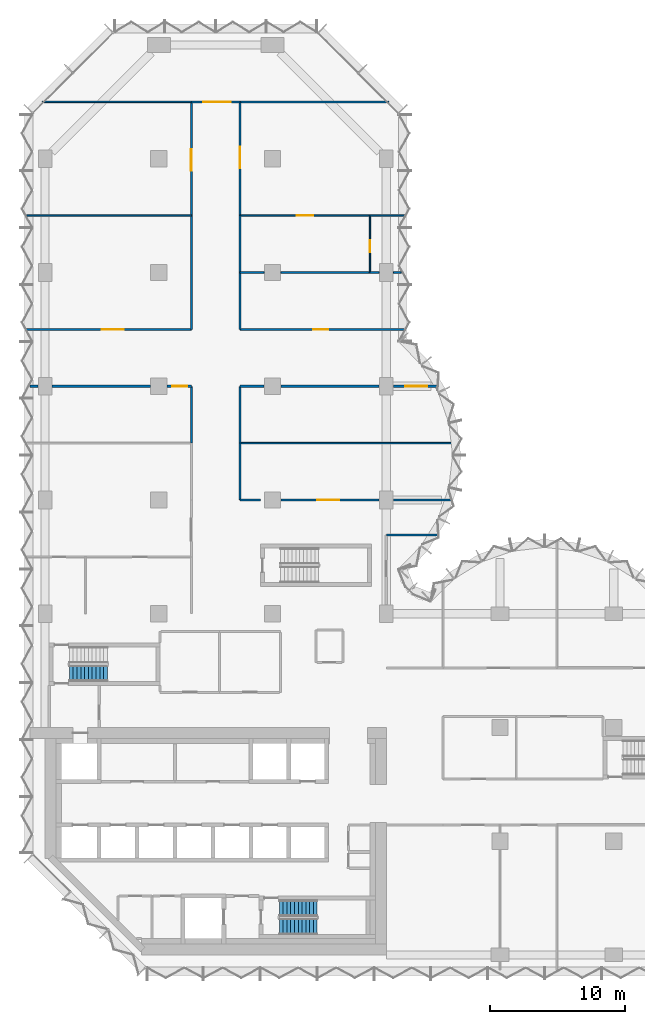
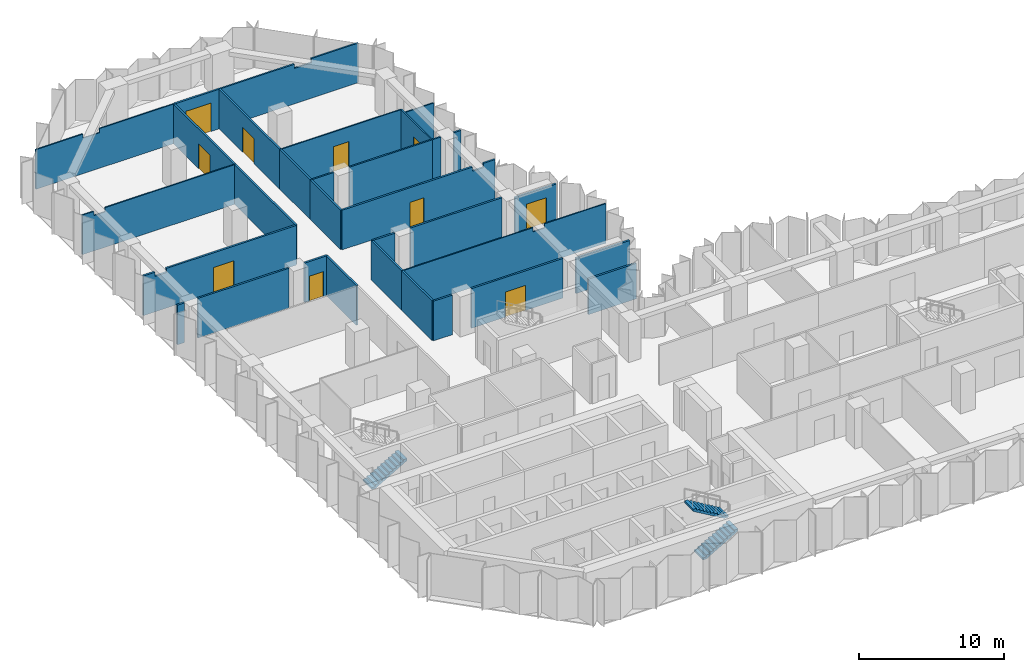
# One storey, part 10 of 13: 32 walls, 10 doors, 3 stair flights, 10 openings, 2 elements without a shape of their own.
"""IFC4 building model written with IfcOpenShell, lengths in metres."""

from ifc_helpers import new_model, si_unit, direction, frame, frame_2d, origin, place, context, subcontext, project, spatial, polyline, rectangle, outline, extrude, material, layer, layer_set, type_object, element, fill, aggregate, save


model = new_model("IFC4")

# Units and contexts
model_context = context("Model", 3, precision=1e-05, world=origin(), true_north=direction((0.0, 1.0)))
body_context = subcontext(model_context, "Body", "Model", "MODEL_VIEW")
ifc_project = project(units=[si_unit("LENGTHUNIT", "METRE"), si_unit("AREAUNIT", "SQUARE_METRE"), si_unit("VOLUMEUNIT", "CUBIC_METRE"), si_unit("PLANEANGLEUNIT", "RADIAN"), si_unit("MASSUNIT", "GRAM", prefix="KILO")], contexts=[model_context])

# Site, building, storey
site_placement = place(None, origin())
site = spatial("IfcSite", under=ifc_project, at=site_placement, CompositionType="ELEMENT")
building_placement = place(site_placement, origin())
building = spatial("IfcBuilding", under=site, at=building_placement, Name="Brevane Broadcast Tower", CompositionType="ELEMENT")
storey_placement = place(building_placement, frame((0.0, 0.0, 91.699951171875)))
storey = spatial("IfcBuildingStorey", under=building, at=storey_placement, Name="L21", CompositionType="ELEMENT", Elevation=91.699951171875)

# Walls
ifc_material_1 = material(Name="Gypsum board partition")
ifc_layer_1 = layer(ifc_material_1, 0.10009765625)
ifc_layer_set_1 = layer_set([ifc_layer_1], Name="PARTITION 100 STUD")
wall_type_1 = type_object("IfcWallType", Name="PARTITION 100 STUD", PredefinedType="PARTITIONING", material=ifc_layer_set_1)
wall_1_placement = place(storey_placement, frame((10.800048828125, 63.0, 0.0), z_axis=(0.0, 0.0, 1.0), x_axis=(-1.0, 0.0, 0.0)))
element("IfcWall", 1, at=wall_1_placement, inside=storey, type_object=wall_type_1, Name="Partition G06-046", PredefinedType="PARTITIONING", context=body_context, shape_type="SweptSolid", body=[
    extrude(outline(polyline([(0.0, 0.0), (11.0, 0.0), (11.0, 3.330078125), (7.265625, 3.330078125), (7.263671875, 2.97998046875), (5.936279296875, 2.97998046875), (5.934326171875, 3.330078125), (0.0, 3.330078125), (0.0, 0.0)])), frame((0.0, 0.050048828125, 0.0), z_axis=(0.0, -1.0, 0.0), x_axis=(1.0, 0.0, 0.0)), (0.0, 0.0, 1.0), 0.10009765625),
])
wall_2_placement = place(storey_placement, frame((-1.364990234375, 54.60009765625, 0.0), z_axis=(0.0, 0.0, 1.0), x_axis=(1.0, 0.0, 0.0)))
element("IfcWall", 2, at=wall_2_placement, inside=storey, type_object=wall_type_1, Name="Partition G06-056", PredefinedType="PARTITIONING", context=body_context, shape_type="SweptSolid", body=[
    extrude(outline(polyline([(0.0, 0.0), (12.1650390625, 0.0), (12.1650390625, 3.330078125), (1.81494140625, 3.330078125), (1.81298828125, 2.97998046875), (0.9169921875, 2.97998046875), (0.9150390625, 3.330078125), (0.264892578125, 3.330078125), (0.0, 3.330078125), (0.0, 0.0)])), frame((0.0, 0.050048828125, 0.0), z_axis=(0.0, -1.0, 0.0), x_axis=(1.0, 0.0, 0.0)), (0.0, 0.0, 1.0), 0.10009765625),
])
wall_3_placement = place(storey_placement, frame((14.39990234375, 37.800048828125, 0.0), z_axis=(0.0, 0.0, 1.0), x_axis=(1.0, 0.0, 0.0)))
element("IfcWall", 3, at=wall_3_placement, inside=storey, type_object=wall_type_1, Name="Partition G06-061", PredefinedType="PARTITIONING", context=body_context, shape_type="SweptSolid", body=[
    extrude(outline(polyline([(0.0, 0.0), (16.1259765625, 0.0), (16.1259765625, 3.330078125), (15.8427734375, 3.330078125), (11.25, 3.330078125), (11.248046875, 2.97998046875), (10.35205078125, 2.97998046875), (10.35009765625, 3.330078125), (0.0, 3.330078125), (0.0, 0.0)])), frame((0.0, 0.050048828125, 0.0), z_axis=(0.0, -1.0, 0.0), x_axis=(1.0, 0.0, 0.0)), (0.0, 0.0, 1.0), 0.10009765625),
])

# Wall, opening, door
wall_4_placement = place(storey_placement, frame((24.0, 54.60009765625, 0.0), z_axis=(0.0, 0.0, 1.0), x_axis=(-1.0, 0.0, 0.0)))
wall_4 = element("IfcWall", 4, at=wall_4_placement, inside=storey, type_object=wall_type_1, Name="Partition G06-066", PredefinedType="PARTITIONING", context=body_context, shape_type="SweptSolid", body=[
    extrude(rectangle(XDim=9.60009765625, YDim=0.10009765625, at=frame_2d((4.800048828125, 0.0))), origin(), (0.0, 0.0, 1.0), 3.330078125),
])
opening_1_placement = place(wall_4_placement, frame((4.199951171875, 0.0, 0.0)))
opening_1 = element("IfcOpeningElement", 5, at=opening_1_placement, cuts=wall_4, Name="Opening D13-022", PredefinedType="OPENING", context=body_context, shape_type="SweptSolid", body=[
    extrude(rectangle(XDim=1.199951171875, YDim=2.10009765625, at=frame_2d((0.60009765625, 1.050048828125))), frame((0.0, 0.06005859375, 0.0), z_axis=(0.0, -1.0, 0.0), x_axis=(1.0, 0.0, 0.0)), (0.0, 0.0, 1.0), 0.1201171875),
])
ifc_material_2 = material(Name="Timber door leaf", Category="wood")
door_type_1 = type_object("IfcDoorType", Name="DOOR SINGLE 1200 INTERNAL", OperationType="SINGLE_SWING_LEFT", PredefinedType="DOOR", material=ifc_material_2)
door_1_placement = place(opening_1_placement, origin())
door_1 = element("IfcDoor", 6, at=door_1_placement, inside=storey, type_object=door_type_1, Name="Door D13-022", OperationType="SINGLE_SWING_LEFT", OverallHeight=2.10009765625, OverallWidth=1.199951171875, PredefinedType="DOOR", context=body_context, shape_type="SweptSolid", body=[
    extrude(rectangle(XDim=1.199951171875, YDim=2.10009765625, at=frame_2d((0.60009765625, 1.050048828125))), frame((0.0, 0.02490234375, 0.0), z_axis=(0.0, -1.0, 0.0), x_axis=(1.0, 0.0, 0.0)), (0.0, 0.0, 1.0), 0.050048828125),
])
fill(opening_1, door_1)

# Wall
wall_5_placement = place(storey_placement, frame((26.56494140625, 54.60009765625, 0.0), z_axis=(0.0, 0.0, 1.0), x_axis=(-1.0, 0.0, 0.0)))
element("IfcWall", 7, at=wall_5_placement, inside=storey, type_object=wall_type_1, Name="Partition G06-067", PredefinedType="PARTITIONING", context=body_context, shape_type="SweptSolid", body=[
    extrude(rectangle(XDim=2.56494140625, YDim=0.10009765625, at=frame_2d((1.282470703125, 0.0))), origin(), (0.0, 0.0, 1.0), 2.97998046875),
])

# Wall, opening, door
wall_6_placement = place(storey_placement, frame((24.0, 54.60009765625, 0.0), z_axis=(0.0, 0.0, 1.0), x_axis=(0.0, -1.0, 0.0)))
wall_6 = element("IfcWall", 8, at=wall_6_placement, inside=storey, type_object=wall_type_1, Name="Partition G06-068", PredefinedType="PARTITIONING", context=body_context, shape_type="SweptSolid", body=[
    extrude(rectangle(XDim=4.2001953125, YDim=0.10009765625, at=frame_2d((2.10009765625, 0.0))), origin(), (0.0, 0.0, 1.0), 3.330078125),
])
opening_2_placement = place(wall_6_placement, frame((1.800048828125, 0.0, 0.0)))
opening_2 = element("IfcOpeningElement", 9, at=opening_2_placement, cuts=wall_6, Name="Opening D13-023", PredefinedType="OPENING", context=body_context, shape_type="SweptSolid", body=[
    extrude(rectangle(XDim=0.89990234375, YDim=2.10009765625, at=frame_2d((0.449951171875, 1.050048828125))), frame((0.0, 0.06005859375, 0.0), z_axis=(0.0, -1.0, 0.0), x_axis=(1.0, 0.0, 0.0)), (0.0, 0.0, 1.0), 0.1201171875),
])
door_type_2 = type_object("IfcDoorType", Name="DOOR SINGLE 900 INTERNAL", OperationType="SINGLE_SWING_LEFT", PredefinedType="DOOR", material=ifc_material_2)
door_2_placement = place(opening_2_placement, origin())
door_2 = element("IfcDoor", 10, at=door_2_placement, inside=storey, type_object=door_type_2, Name="Door D13-023", OperationType="SINGLE_SWING_LEFT", OverallHeight=2.10009765625, OverallWidth=0.89990234375, PredefinedType="DOOR", context=body_context, shape_type="SweptSolid", body=[
    extrude(rectangle(XDim=0.89990234375, YDim=2.10009765625, at=frame_2d((0.449951171875, 1.050048828125))), frame((0.0, 0.02490234375, 0.0), z_axis=(0.0, -1.0, 0.0), x_axis=(1.0, 0.0, 0.0)), (0.0, 0.0, 1.0), 0.050048828125),
])
fill(opening_2, door_2)

# Walls
ifc_layer_2 = layer(ifc_material_1, 0.125)
ifc_layer_set_2 = layer_set([ifc_layer_2], Name="PARTITION 125 ACOUSTIC")
wall_type_2 = type_object("IfcWallType", Name="PARTITION 125 ACOUSTIC", PredefinedType="PARTITIONING", material=ifc_layer_set_2)
wall_7_placement = place(storey_placement, frame((25.39990234375, 63.0, 0.0), z_axis=(0.0, 0.0, 1.0), x_axis=(-1.0, 0.0, 0.0)))
element("IfcWall", 11, at=wall_7_placement, inside=storey, type_object=wall_type_2, Name="Partition G06-047", PredefinedType="PARTITIONING", context=body_context, shape_type="SweptSolid", body=[
    extrude(outline(polyline([(0.0, 0.0), (11.0, 0.0), (11.0, 3.330078125), (5.078125, 3.330078125), (5.076171875, 2.97998046875), (3.723876953125, 2.97998046875), (3.721923828125, 3.330078125), (0.0, 3.330078125), (0.0, 0.0)])), frame((0.0, 0.0625, 0.0), z_axis=(0.0, -1.0, 0.0), x_axis=(1.0, 0.0, 0.0)), (0.0, 0.0, 1.0), 0.125),
])
wall_8_placement = place(storey_placement, frame((14.39990234375, 50.39990234375, 0.0), z_axis=(0.0, 0.0, 1.0), x_axis=(1.0, 0.0, 0.0)))
element("IfcWall", 12, at=wall_8_placement, inside=storey, type_object=wall_type_2, Name="Partition G06-062", PredefinedType="PARTITIONING", context=body_context, shape_type="SweptSolid", body=[
    extrude(rectangle(XDim=1.780029296875, YDim=0.125, at=frame_2d((0.89013671875, 0.0))), origin(), (0.0, 0.0, 1.0), 3.330078125),
])
wall_9_placement = place(storey_placement, frame((17.419921875, 50.39990234375, 0.0), z_axis=(0.0, 0.0, 1.0), x_axis=(1.0, 0.0, 0.0)))
element("IfcWall", 13, at=wall_9_placement, inside=storey, type_object=wall_type_2, Name="Partition G06-063", PredefinedType="PARTITIONING", context=body_context, shape_type="SweptSolid", body=[
    extrude(rectangle(XDim=6.580078125, YDim=0.125, at=frame_2d((3.2900390625, 0.0))), origin(), (0.0, 0.0, 1.0), 3.330078125),
])
wall_10_placement = place(storey_placement, frame((24.0, 50.39990234375, 0.0), z_axis=(0.0, 0.0, 1.0), x_axis=(1.0, 0.0, 0.0)))
element("IfcWall", 14, at=wall_10_placement, inside=storey, type_object=wall_type_2, Name="Partition G06-064", PredefinedType="PARTITIONING", context=body_context, shape_type="SweptSolid", body=[
    extrude(rectangle(XDim=0.679931640625, YDim=0.125, at=frame_2d((0.33984375, 0.0))), origin(), (0.0, 0.0, 1.0), 3.330078125),
])
wall_11_placement = place(storey_placement, frame((25.719970703125, 50.39990234375, 0.0), z_axis=(0.0, 0.0, 1.0), x_axis=(1.0, 0.0, 0.0)))
element("IfcWall", 15, at=wall_11_placement, inside=storey, type_object=wall_type_2, Name="Partition G06-065", PredefinedType="PARTITIONING", context=body_context, shape_type="SweptSolid", body=[
    extrude(rectangle(XDim=0.580078125, YDim=0.125, at=frame_2d((0.2900390625, 0.0))), origin(), (0.0, 0.0, 1.0), 3.330078125),
])
ifc_layer_3 = layer(ifc_material_1, 0.14990234375)
ifc_layer_set_3 = layer_set([ifc_layer_3], Name="PARTITION 150 EI 60")
wall_type_3 = type_object("IfcWallType", Name="PARTITION 150 EI 60", PredefinedType="PARTITIONING", material=ifc_layer_set_3)
wall_12_placement = place(storey_placement, frame((25.199951171875, 31.0, 0.0), z_axis=(0.0, 0.0, 1.0), x_axis=(1.0, 0.0, 0.0)))
element("IfcWall", 16, at=wall_12_placement, inside=storey, type_object=wall_type_3, Name="Partition G06-006", PredefinedType="PARTITIONING", context=body_context, shape_type="SweptSolid", body=[
    extrude(rectangle(XDim=3.80615234375, YDim=0.14990234375, at=frame_2d((1.903076171875, 0.0))), origin(), (0.0, 0.0, 1.0), 2.97998046875),
])
wall_13_placement = place(storey_placement, frame((14.39990234375, 33.60009765625, 0.0), z_axis=(0.0, 0.0, 1.0), x_axis=(1.0, 0.0, 0.0)))
element("IfcWall", 17, at=wall_13_placement, inside=storey, type_object=wall_type_3, Name="Partition G06-033", PredefinedType="PARTITIONING", context=body_context, shape_type="SweptSolid", body=[
    extrude(rectangle(XDim=1.5, YDim=0.14990234375, at=frame_2d((0.75, 0.0))), origin(), (0.0, 0.0, 1.0), 3.330078125),
])

# Wall, opening, door
wall_14_placement = place(storey_placement, frame((17.419921875, 33.60009765625, 0.0), z_axis=(0.0, 0.0, 1.0), x_axis=(1.0, 0.0, 0.0)))
wall_14 = element("IfcWall", 18, at=wall_14_placement, inside=storey, type_object=wall_type_3, Name="Partition G06-034", PredefinedType="PARTITIONING", context=body_context, shape_type="SweptSolid", body=[
    extrude(rectangle(XDim=7.260009765625, YDim=0.14990234375, at=frame_2d((3.6298828125, 0.0))), origin(), (0.0, 0.0, 1.0), 3.330078125),
])
opening_3_placement = place(wall_14_placement, frame((2.699951171875, 0.0, 0.0)))
opening_3 = element("IfcOpeningElement", 19, at=opening_3_placement, cuts=wall_14, Name="Opening D13-018", PredefinedType="OPENING", context=body_context, shape_type="SweptSolid", body=[
    extrude(rectangle(XDim=1.60009765625, YDim=2.10009765625, at=frame_2d((0.800048828125, 1.050048828125))), frame((0.0, 0.0849609375, 0.0), z_axis=(0.0, -1.0, 0.0), x_axis=(1.0, 0.0, 0.0)), (0.0, 0.0, 1.0), 0.169921875),
])
ifc_material_3 = material(Name="Fire-rated timber door leaf", Category="wood")
door_type_3 = type_object("IfcDoorType", Name="DOOR DOUBLE 1600 FD30S", OperationType="DOUBLE_DOOR_SINGLE_SWING", PredefinedType="DOOR", material=ifc_material_3)
door_3_placement = place(opening_3_placement, origin())
door_3 = element("IfcDoor", 20, at=door_3_placement, inside=storey, type_object=door_type_3, Name="Door D13-018", OperationType="DOUBLE_DOOR_SINGLE_SWING", OverallHeight=2.10009765625, OverallWidth=1.60009765625, PredefinedType="DOOR", context=body_context, shape_type="SweptSolid", body=[
    extrude(rectangle(XDim=1.60009765625, YDim=2.10009765625, at=frame_2d((0.800048828125, 1.050048828125))), frame((0.0, 0.02490234375, 0.0), z_axis=(0.0, -1.0, 0.0), x_axis=(1.0, 0.0, 0.0)), (0.0, 0.0, 1.0), 0.050048828125),
])
fill(opening_3, door_3)

# Wall
wall_15_placement = place(storey_placement, frame((25.719970703125, 33.60009765625, 0.0), z_axis=(0.0, 0.0, 1.0), x_axis=(1.0, 0.0, 0.0)))
element("IfcWall", 21, at=wall_15_placement, inside=storey, type_object=wall_type_3, Name="Partition G06-035", PredefinedType="PARTITIONING", context=body_context, shape_type="SweptSolid", body=[
    extrude(rectangle(XDim=4.268310546875, YDim=0.14990234375, at=frame_2d((2.13427734375, 0.0))), origin(), (0.0, 0.0, 1.0), 2.97998046875),
])

# Wall, opening, door
wall_16_placement = place(storey_placement, frame((10.800048828125, 63.0, 0.0), z_axis=(0.0, 0.0, 1.0), x_axis=(1.0, 0.0, 0.0)))
wall_16 = element("IfcWall", 22, at=wall_16_placement, inside=storey, type_object=wall_type_3, Name="Partition G06-036", PredefinedType="PARTITIONING", context=body_context, shape_type="SweptSolid", body=[
    extrude(rectangle(XDim=3.599853515625, YDim=0.14990234375, at=frame_2d((1.7998046875, 0.0))), origin(), (0.0, 0.0, 1.0), 3.330078125),
])
opening_4_placement = place(wall_16_placement, frame((0.89990234375, 0.0, 0.0)))
opening_4 = element("IfcOpeningElement", 23, at=opening_4_placement, cuts=wall_16, Name="Opening D13-011", PredefinedType="OPENING", context=body_context, shape_type="SweptSolid", body=[
    extrude(rectangle(XDim=2.0, YDim=2.39990234375, at=frame_2d((1.0, 1.199951171875))), frame((0.0, 0.0849609375, 0.0), z_axis=(0.0, -1.0, 0.0), x_axis=(1.0, 0.0, 0.0)), (0.0, 0.0, 1.0), 0.169921875),
])
door_type_4 = type_object("IfcDoorType", Name="DOOR DOUBLE 2000 FD30S", OperationType="DOUBLE_DOOR_SINGLE_SWING", PredefinedType="DOOR", material=ifc_material_3)
door_4_placement = place(opening_4_placement, origin())
door_4 = element("IfcDoor", 24, at=door_4_placement, inside=storey, type_object=door_type_4, Name="Door D13-011", OperationType="DOUBLE_DOOR_SINGLE_SWING", OverallHeight=2.39990234375, OverallWidth=2.0, PredefinedType="DOOR", context=body_context, shape_type="SweptSolid", body=[
    extrude(rectangle(XDim=2.0, YDim=2.39990234375, at=frame_2d((1.0, 1.199951171875))), frame((0.0, 0.02490234375, 0.0), z_axis=(0.0, -1.0, 0.0), x_axis=(1.0, 0.0, 0.0)), (0.0, 0.0, 1.0), 0.050048828125),
])
fill(opening_4, door_4)

# Walls
wall_17_placement = place(storey_placement, frame((10.800048828125, 37.800048828125, 0.0), z_axis=(0.0, 0.0, 1.0), x_axis=(0.0, 1.0, 0.0)))
element("IfcWall", 25, at=wall_17_placement, inside=storey, type_object=wall_type_3, Name="Partition G06-038", PredefinedType="PARTITIONING", context=body_context, shape_type="SweptSolid", body=[
    extrude(rectangle(XDim=4.199951171875, YDim=0.14990234375, at=frame_2d((2.10009765625, 0.0))), origin(), (0.0, 0.0, 1.0), 3.330078125),
])
wall_18_placement = place(storey_placement, frame((10.800048828125, 46.199951171875, 0.0), z_axis=(0.0, 0.0, 1.0), x_axis=(0.0, 1.0, 0.0)))
element("IfcWall", 26, at=wall_18_placement, inside=storey, type_object=wall_type_3, Name="Partition G06-039", PredefinedType="PARTITIONING", context=body_context, shape_type="SweptSolid", body=[
    extrude(rectangle(XDim=8.400146484375, YDim=0.14990234375, at=frame_2d((4.2001953125, 0.0))), origin(), (0.0, 0.0, 1.0), 3.330078125),
])

# Wall, opening, door
wall_19_placement = place(storey_placement, frame((10.800048828125, 54.60009765625, 0.0), z_axis=(0.0, 0.0, 1.0), x_axis=(0.0, 1.0, 0.0)))
wall_19 = element("IfcWall", 27, at=wall_19_placement, inside=storey, type_object=wall_type_3, Name="Partition G06-040", PredefinedType="PARTITIONING", context=body_context, shape_type="SweptSolid", body=[
    extrude(rectangle(XDim=8.39990234375, YDim=0.14990234375, at=frame_2d((4.199951171875, 0.0))), origin(), (0.0, 0.0, 1.0), 3.330078125),
])
opening_5_placement = place(wall_19_placement, frame((3.300048828125, 0.0, 0.0)))
opening_5 = element("IfcOpeningElement", 28, at=opening_5_placement, cuts=wall_19, Name="Opening D13-017", PredefinedType="OPENING", context=body_context, shape_type="SweptSolid", body=[
    extrude(rectangle(XDim=1.60009765625, YDim=2.10009765625, at=frame_2d((0.800048828125, 1.050048828125))), frame((0.0, 0.0849609375, 0.0), z_axis=(0.0, -1.0, 0.0), x_axis=(1.0, 0.0, 0.0)), (0.0, 0.0, 1.0), 0.169921875),
])
door_5_placement = place(opening_5_placement, origin())
door_5 = element("IfcDoor", 29, at=door_5_placement, inside=storey, type_object=door_type_3, Name="Door D13-017", OperationType="DOUBLE_DOOR_SINGLE_SWING", OverallHeight=2.10009765625, OverallWidth=1.60009765625, PredefinedType="DOOR", context=body_context, shape_type="SweptSolid", body=[
    extrude(rectangle(XDim=1.60009765625, YDim=2.10009765625, at=frame_2d((0.800048828125, 1.050048828125))), frame((0.0, 0.02490234375, 0.0), z_axis=(0.0, -1.0, 0.0), x_axis=(1.0, 0.0, 0.0)), (0.0, 0.0, 1.0), 0.050048828125),
])
fill(opening_5, door_5)

# Walls
for number, where, z_axis, x_axis, name in (
    (30, (14.39990234375, 37.800048828125, 0.0), (0.0, 0.0, 1.0), (0.0, -1.0, 0.0), "Partition G06-041"),
    (31, (14.39990234375, 42.0, 0.0), (0.0, 0.0, 1.0), (0.0, -1.0, 0.0), "Partition G06-042"),
    (32, (14.39990234375, 50.39990234375, 0.0), (0.0, 0.0, 1.0), (0.0, -1.0, 0.0), "Partition G06-043"),
):
    element("IfcWall", number, at=place(storey_placement, frame(where, z_axis=z_axis, x_axis=x_axis)), inside=storey, type_object=wall_type_3, Name=name, PredefinedType="PARTITIONING", context=body_context, shape_type="SweptSolid", body=[
        extrude(rectangle(XDim=4.199951171875, YDim=0.14990234375, at=frame_2d((2.10009765625, 0.0))), origin(), (0.0, 0.0, 1.0), 3.330078125),
    ])

# Wall, opening, door
wall_20_placement = place(storey_placement, frame((14.39990234375, 63.0, 0.0), z_axis=(0.0, 0.0, 1.0), x_axis=(0.0, -1.0, 0.0)))
wall_20 = element("IfcWall", 33, at=wall_20_placement, inside=storey, type_object=wall_type_3, Name="Partition G06-044", PredefinedType="PARTITIONING", context=body_context, shape_type="SweptSolid", body=[
    extrude(rectangle(XDim=8.39990234375, YDim=0.14990234375, at=frame_2d((4.199951171875, 0.0))), origin(), (0.0, 0.0, 1.0), 3.330078125),
])
opening_6_placement = place(wall_20_placement, frame((3.300048828125, 0.0, 0.0)))
opening_6 = element("IfcOpeningElement", 34, at=opening_6_placement, cuts=wall_20, Name="Opening D13-021", PredefinedType="OPENING", context=body_context, shape_type="SweptSolid", body=[
    extrude(rectangle(XDim=1.60009765625, YDim=2.10009765625, at=frame_2d((0.800048828125, 1.050048828125))), frame((0.0, 0.0849609375, 0.0), z_axis=(0.0, -1.0, 0.0), x_axis=(1.0, 0.0, 0.0)), (0.0, 0.0, 1.0), 0.169921875),
])
door_6_placement = place(opening_6_placement, origin())
door_6 = element("IfcDoor", 35, at=door_6_placement, inside=storey, type_object=door_type_3, Name="Door D13-021", OperationType="DOUBLE_DOOR_SINGLE_SWING", OverallHeight=2.10009765625, OverallWidth=1.60009765625, PredefinedType="DOOR", context=body_context, shape_type="SweptSolid", body=[
    extrude(rectangle(XDim=1.60009765625, YDim=2.10009765625, at=frame_2d((0.800048828125, 1.050048828125))), frame((0.0, 0.02490234375, 0.0), z_axis=(0.0, -1.0, 0.0), x_axis=(1.0, 0.0, 0.0)), (0.0, 0.0, 1.0), 0.050048828125),
])
fill(opening_6, door_6)

# Wall
wall_21_placement = place(storey_placement, frame((14.39990234375, 54.60009765625, 0.0), z_axis=(0.0, 0.0, 1.0), x_axis=(0.0, -1.0, 0.0)))
element("IfcWall", 36, at=wall_21_placement, inside=storey, type_object=wall_type_3, Name="Partition G06-045", PredefinedType="PARTITIONING", context=body_context, shape_type="SweptSolid", body=[
    extrude(rectangle(XDim=4.2001953125, YDim=0.14990234375, at=frame_2d((2.10009765625, 0.0))), origin(), (0.0, 0.0, 1.0), 3.330078125),
])

# Wall, opening, door
wall_22_placement = place(storey_placement, frame((10.800048828125, 42.0, 0.0), z_axis=(0.0, 0.0, 1.0), x_axis=(-1.0, 0.0, 0.0)))
wall_22 = element("IfcWall", 37, at=wall_22_placement, inside=storey, type_object=wall_type_3, Name="Partition G06-048", PredefinedType="PARTITIONING", context=body_context, shape_type="SweptSolid", body=[
    extrude(rectangle(XDim=1.780029296875, YDim=0.14990234375, at=frame_2d((0.89013671875, 0.0))), origin(), (0.0, 0.0, 1.0), 3.330078125),
])
opening_7_placement = place(wall_22_placement, frame((0.300048828125, 0.0, 0.0)))
opening_7 = element("IfcOpeningElement", 38, at=opening_7_placement, cuts=wall_22, Name="Opening D13-015", PredefinedType="OPENING", context=body_context, shape_type="SweptSolid", body=[
    extrude(rectangle(XDim=1.10009765625, YDim=2.10009765625, at=frame_2d((0.550048828125, 1.050048828125))), frame((0.0, 0.0849609375, 0.0), z_axis=(0.0, -1.0, 0.0), x_axis=(1.0, 0.0, 0.0)), (0.0, 0.0, 1.0), 0.169921875),
])
door_type_5 = type_object("IfcDoorType", Name="DOOR SINGLE 1100 FD30S", OperationType="SINGLE_SWING_LEFT", PredefinedType="DOOR", material=ifc_material_3)
door_7_placement = place(opening_7_placement, origin())
door_7 = element("IfcDoor", 39, at=door_7_placement, inside=storey, type_object=door_type_5, Name="Door D13-015", OperationType="SINGLE_SWING_LEFT", OverallHeight=2.10009765625, OverallWidth=1.10009765625, PredefinedType="DOOR", context=body_context, shape_type="SweptSolid", body=[
    extrude(rectangle(XDim=1.10009765625, YDim=2.10009765625, at=frame_2d((0.550048828125, 1.050048828125))), frame((0.0, 0.02490234375, 0.0), z_axis=(0.0, -1.0, 0.0), x_axis=(1.0, 0.0, 0.0)), (0.0, 0.0, 1.0), 0.050048828125),
])
fill(opening_7, door_7)

# Walls
wall_23_placement = place(storey_placement, frame((7.780029296875, 42.0, 0.0), z_axis=(0.0, 0.0, 1.0), x_axis=(-1.0, 0.0, 0.0)))
element("IfcWall", 40, at=wall_23_placement, inside=storey, type_object=wall_type_3, Name="Partition G06-049", PredefinedType="PARTITIONING", context=body_context, shape_type="SweptSolid", body=[
    extrude(rectangle(XDim=7.260009765625, YDim=0.14990234375, at=frame_2d((3.6298828125, 0.0))), origin(), (0.0, 0.0, 1.0), 3.330078125),
])
wall_24_placement = place(storey_placement, frame((-0.52001953125, 42.0, 0.0), z_axis=(0.0, 0.0, 1.0), x_axis=(-1.0, 0.0, 0.0)))
element("IfcWall", 41, at=wall_24_placement, inside=storey, type_object=wall_type_3, Name="Partition G06-050", PredefinedType="PARTITIONING", context=body_context, shape_type="SweptSolid", body=[
    extrude(rectangle(XDim=0.580078125, YDim=0.14990234375, at=frame_2d((0.2900390625, 0.0))), origin(), (0.0, 0.0, 1.0), 3.330078125),
])

# Wall, opening, door
wall_25_placement = place(storey_placement, frame((-1.364990234375, 46.199951171875, 0.0), z_axis=(0.0, 0.0, 1.0), x_axis=(1.0, 0.0, 0.0)))
wall_25 = element("IfcWall", 42, at=wall_25_placement, inside=storey, type_object=wall_type_3, Name="Partition G06-051", PredefinedType="PARTITIONING", context=body_context, shape_type="SweptSolid", body=[
    extrude(outline(polyline([(0.0, 0.0), (12.1650390625, 0.0), (12.1650390625, 3.330078125), (1.81494140625, 3.330078125), (1.81298828125, 2.97998046875), (0.9169921875, 2.97998046875), (0.9150390625, 3.330078125), (0.264892578125, 3.330078125), (0.0, 3.330078125), (0.0, 0.0)])), frame((0.0, 0.074951171875, 0.0), z_axis=(0.0, -1.0, 0.0), x_axis=(1.0, 0.0, 0.0)), (0.0, 0.0, 1.0), 0.14990234375),
])
opening_8_placement = place(wall_25_placement, frame((5.56494140625, 0.0, 0.0)))
opening_8 = element("IfcOpeningElement", 43, at=opening_8_placement, cuts=wall_25, Name="Opening D13-016", PredefinedType="OPENING", context=body_context, shape_type="SweptSolid", body=[
    extrude(rectangle(XDim=1.60009765625, YDim=2.10009765625, at=frame_2d((0.800048828125, 1.050048828125))), frame((0.0, 0.0849609375, 0.0), z_axis=(0.0, -1.0, 0.0), x_axis=(1.0, 0.0, 0.0)), (0.0, 0.0, 1.0), 0.169921875),
])
door_8_placement = place(opening_8_placement, origin())
door_8 = element("IfcDoor", 44, at=door_8_placement, inside=storey, type_object=door_type_3, Name="Door D13-016", OperationType="DOUBLE_DOOR_SINGLE_SWING", OverallHeight=2.10009765625, OverallWidth=1.60009765625, PredefinedType="DOOR", context=body_context, shape_type="SweptSolid", body=[
    extrude(rectangle(XDim=1.60009765625, YDim=2.10009765625, at=frame_2d((0.800048828125, 1.050048828125))), frame((0.0, 0.02490234375, 0.0), z_axis=(0.0, -1.0, 0.0), x_axis=(1.0, 0.0, 0.0)), (0.0, 0.0, 1.0), 0.050048828125),
])
fill(opening_8, door_8)

wall_26_placement = place(storey_placement, frame((29.011474609375, 42.0, 0.0), z_axis=(0.0, 0.0, 1.0), x_axis=(-1.0, 0.0, 0.0)))
wall_26 = element("IfcWall", 45, at=wall_26_placement, inside=storey, type_object=wall_type_3, Name="Partition G06-057", PredefinedType="PARTITIONING", context=body_context, shape_type="SweptSolid", body=[
    extrude(rectangle(XDim=3.29150390625, YDim=0.14990234375, at=frame_2d((1.645751953125, 0.0))), origin(), (0.0, 0.0, 1.0), 2.97998046875),
])
opening_9_placement = place(wall_26_placement, frame((0.800048828125, 0.0, 0.0)))
opening_9 = element("IfcOpeningElement", 46, at=opening_9_placement, cuts=wall_26, Name="Opening D13-019", PredefinedType="OPENING", context=body_context, shape_type="SweptSolid", body=[
    extrude(rectangle(XDim=1.60009765625, YDim=2.10009765625, at=frame_2d((0.800048828125, 1.050048828125))), frame((0.0, 0.0849609375, 0.0), z_axis=(0.0, -1.0, 0.0), x_axis=(1.0, 0.0, 0.0)), (0.0, 0.0, 1.0), 0.169921875),
])
door_9_placement = place(opening_9_placement, origin())
door_9 = element("IfcDoor", 47, at=door_9_placement, inside=storey, type_object=door_type_3, Name="Door D13-019", OperationType="DOUBLE_DOOR_SINGLE_SWING", OverallHeight=2.10009765625, OverallWidth=1.60009765625, PredefinedType="DOOR", context=body_context, shape_type="SweptSolid", body=[
    extrude(rectangle(XDim=1.60009765625, YDim=2.10009765625, at=frame_2d((0.800048828125, 1.050048828125))), frame((0.0, 0.02490234375, 0.0), z_axis=(0.0, -1.0, 0.0), x_axis=(1.0, 0.0, 0.0)), (0.0, 0.0, 1.0), 0.050048828125),
])
fill(opening_9, door_9)

# Walls
wall_27_placement = place(storey_placement, frame((24.679931640625, 42.0, 0.0), z_axis=(0.0, 0.0, 1.0), x_axis=(-1.0, 0.0, 0.0)))
element("IfcWall", 48, at=wall_27_placement, inside=storey, type_object=wall_type_3, Name="Partition G06-058", PredefinedType="PARTITIONING", context=body_context, shape_type="SweptSolid", body=[
    extrude(rectangle(XDim=7.260009765625, YDim=0.14990234375, at=frame_2d((3.6298828125, 0.0))), origin(), (0.0, 0.0, 1.0), 3.330078125),
])
wall_28_placement = place(storey_placement, frame((16.179931640625, 42.0, 0.0), z_axis=(0.0, 0.0, 1.0), x_axis=(-1.0, 0.0, 0.0)))
element("IfcWall", 49, at=wall_28_placement, inside=storey, type_object=wall_type_3, Name="Partition G06-059", PredefinedType="PARTITIONING", context=body_context, shape_type="SweptSolid", body=[
    extrude(rectangle(XDim=1.780029296875, YDim=0.14990234375, at=frame_2d((0.89013671875, 0.0))), origin(), (0.0, 0.0, 1.0), 3.330078125),
])

# Wall, opening, door
wall_29_placement = place(storey_placement, frame((14.39990234375, 46.199951171875, 0.0), z_axis=(0.0, 0.0, 1.0), x_axis=(1.0, 0.0, 0.0)))
wall_29 = element("IfcWall", 50, at=wall_29_placement, inside=storey, type_object=wall_type_3, Name="Partition G06-060", PredefinedType="PARTITIONING", context=body_context, shape_type="SweptSolid", body=[
    extrude(outline(polyline([(0.0, 0.0), (12.1650390625, 0.0), (12.1650390625, 3.330078125), (11.89990234375, 3.330078125), (11.25, 3.330078125), (11.248046875, 2.97998046875), (10.35205078125, 2.97998046875), (10.35009765625, 3.330078125), (0.0, 3.330078125), (0.0, 0.0)])), frame((0.0, 0.074951171875, 0.0), z_axis=(0.0, -1.0, 0.0), x_axis=(1.0, 0.0, 0.0)), (0.0, 0.0, 1.0), 0.14990234375),
])
opening_10_placement = place(wall_29_placement, frame((5.39990234375, 0.0, 0.0)))
opening_10 = element("IfcOpeningElement", 51, at=opening_10_placement, cuts=wall_29, Name="Opening D13-020", PredefinedType="OPENING", context=body_context, shape_type="SweptSolid", body=[
    extrude(rectangle(XDim=1.10009765625, YDim=2.10009765625, at=frame_2d((0.550048828125, 1.050048828125))), frame((0.0, 0.0849609375, 0.0), z_axis=(0.0, -1.0, 0.0), x_axis=(1.0, 0.0, 0.0)), (0.0, 0.0, 1.0), 0.169921875),
])
door_10_placement = place(opening_10_placement, origin())
door_10 = element("IfcDoor", 52, at=door_10_placement, inside=storey, type_object=door_type_5, Name="Door D13-020", OperationType="SINGLE_SWING_LEFT", OverallHeight=2.10009765625, OverallWidth=1.10009765625, PredefinedType="DOOR", context=body_context, shape_type="SweptSolid", body=[
    extrude(rectangle(XDim=1.10009765625, YDim=2.10009765625, at=frame_2d((0.550048828125, 1.050048828125))), frame((0.0, 0.02490234375, 0.0), z_axis=(0.0, -1.0, 0.0), x_axis=(1.0, 0.0, 0.0)), (0.0, 0.0, 1.0), 0.050048828125),
])
fill(opening_10, door_10)

# Stair, stair flight
ifc_material_4 = material(Name="Concrete C50/60", Category="concrete")
stair_type = type_object("IfcStairType", Name="Exit stair 22 risers", PredefinedType="HALF_TURN_STAIR", material=ifc_material_4)
stair_1_placement = place(storey_placement, origin())
stair_1 = element("IfcStair", 53, at=stair_1_placement, inside=storey, type_object=stair_type, Name="L21 Exit stair ST-1", PredefinedType="HALF_TURN_STAIR")
stair_flight_type = type_object("IfcStairFlightType", Name="Exit stair flight 22 risers", PredefinedType="STRAIGHT", material=ifc_material_4)
stair_flight_1_placement = place(storey_placement, frame((1.800048828125, 20.800048828125, 0.0), z_axis=(0.0, 0.0, 1.0), x_axis=(1.0, 0.0, 0.0)))
stair_flight_1 = element("IfcStairFlight", 54, at=stair_flight_1_placement, type_object=stair_flight_type, Name="ST-1 flight 1", NumberOfRisers=11, NumberOfTreads=10, PredefinedType="STRAIGHT", RiserHeight=0.163636364, TreadLength=0.28, context=body_context, shape_type="SweptSolid", body=[
    extrude(outline(polyline([(0.0, 0.0), (0.0, 0.16357421875), (0.280029296875, 0.16357421875), (0.280029296875, 0.327392578125), (0.56005859375, 0.327392578125), (0.56005859375, 0.490966796875), (0.840087890625, 0.490966796875), (0.840087890625, 0.654541015625), (1.1201171875, 0.654541015625), (1.1201171875, 0.818115234375), (1.39990234375, 0.818115234375), (1.39990234375, 0.98193359375), (1.679931640625, 0.98193359375), (1.679931640625, 1.1455078125), (1.9599609375, 1.1455078125), (1.9599609375, 1.30908203125), (2.239990234375, 1.30908203125), (2.239990234375, 1.47265625), (2.52001953125, 1.47265625), (2.52001953125, 1.636474609375), (2.800048828125, 1.636474609375), (2.800048828125, 1.800048828125), (2.800048828125, 1.462646484375), (0.297119140625, 0.0), (0.0, 0.0)])), frame((0.0, 0.60009765625, 0.0), z_axis=(0.0, -1.0, 0.0), x_axis=(1.0, 0.0, 0.0)), (0.0, 0.0, 1.0), 1.199951171875),
])
aggregate(stair_1, [stair_flight_1])

# Stair, stair flights
stair_2_placement = place(storey_placement, origin())
stair_2 = element("IfcStair", 55, at=stair_2_placement, inside=storey, type_object=stair_type, Name="L21 Exit stair ST-2", PredefinedType="HALF_TURN_STAIR")
stair_flight_2_placement = place(storey_placement, frame((17.300048828125, 2.10009765625, 0.0), z_axis=(0.0, 0.0, 1.0), x_axis=(1.0, 0.0, 0.0)))
stair_flight_2 = element("IfcStairFlight", 56, at=stair_flight_2_placement, type_object=stair_flight_type, Name="ST-2 flight 1", NumberOfRisers=11, NumberOfTreads=10, PredefinedType="STRAIGHT", RiserHeight=0.163636364, TreadLength=0.28, context=body_context, shape_type="SweptSolid", body=[
    extrude(outline(polyline([(0.0, 0.0), (0.0, 0.16357421875), (0.280029296875, 0.16357421875), (0.280029296875, 0.327392578125), (0.56005859375, 0.327392578125), (0.56005859375, 0.490966796875), (0.840087890625, 0.490966796875), (0.840087890625, 0.654541015625), (1.1201171875, 0.654541015625), (1.1201171875, 0.818115234375), (1.39990234375, 0.818115234375), (1.39990234375, 0.98193359375), (1.679931640625, 0.98193359375), (1.679931640625, 1.1455078125), (1.9599609375, 1.1455078125), (1.9599609375, 1.30908203125), (2.239990234375, 1.30908203125), (2.239990234375, 1.47265625), (2.52001953125, 1.47265625), (2.52001953125, 1.636474609375), (2.800048828125, 1.636474609375), (2.800048828125, 1.800048828125), (2.800048828125, 1.462646484375), (0.297119140625, 0.0), (0.0, 0.0)])), frame((0.0, 0.60009765625, 0.0), z_axis=(0.0, -1.0, 0.0), x_axis=(1.0, 0.0, 0.0)), (0.0, 0.0, 1.0), 1.199951171875),
])
stair_flight_3_placement = place(storey_placement, frame((20.10009765625, 3.449951171875, 1.800048828125), z_axis=(0.0, 0.0, 1.0), x_axis=(-1.0, 0.0, 0.0)))
stair_flight_3 = element("IfcStairFlight", 57, at=stair_flight_3_placement, type_object=stair_flight_type, Name="ST-2 flight 2", NumberOfRisers=11, NumberOfTreads=10, PredefinedType="STRAIGHT", RiserHeight=0.163636364, TreadLength=0.28, context=body_context, shape_type="SweptSolid", body=[
    extrude(outline(polyline([(0.0, 0.0), (0.0, 0.16357421875), (0.280029296875, 0.16357421875), (0.280029296875, 0.327392578125), (0.56005859375, 0.327392578125), (0.56005859375, 0.490966796875), (0.840087890625, 0.490966796875), (0.840087890625, 0.654541015625), (1.1201171875, 0.654541015625), (1.1201171875, 0.818115234375), (1.39990234375, 0.818115234375), (1.39990234375, 0.98193359375), (1.679931640625, 0.98193359375), (1.679931640625, 1.1455078125), (1.9599609375, 1.1455078125), (1.9599609375, 1.30908203125), (2.239990234375, 1.30908203125), (2.239990234375, 1.47265625), (2.52001953125, 1.47265625), (2.52001953125, 1.636474609375), (2.800048828125, 1.636474609375), (2.800048828125, 1.800048828125), (2.800048828125, 1.462646484375), (0.297119140625, 0.0), (0.0, 0.0)])), frame((0.0, 0.60009765625, 0.0), z_axis=(0.0, -1.0, 0.0), x_axis=(1.0, 0.0, 0.0)), (0.0, 0.0, 1.0), 1.199951171875),
])
aggregate(stair_2, [stair_flight_2, stair_flight_3])

save(model, "model.ifc")
